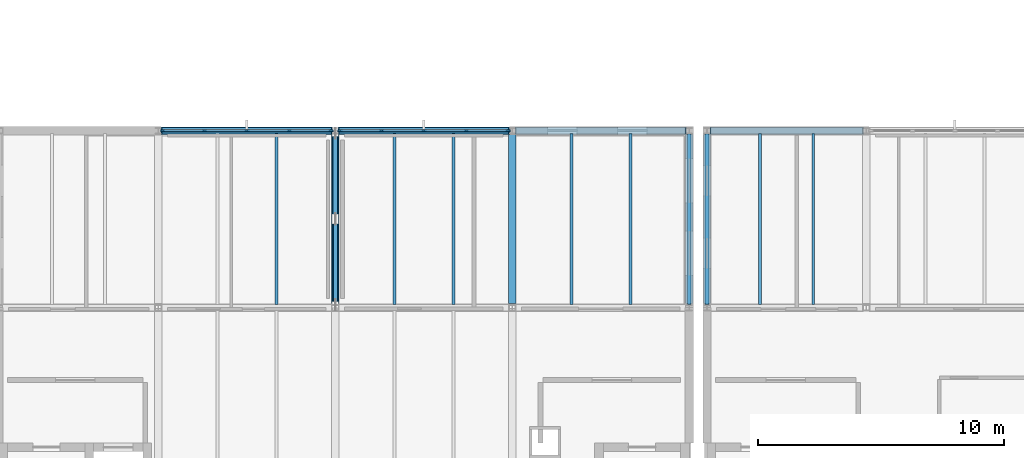
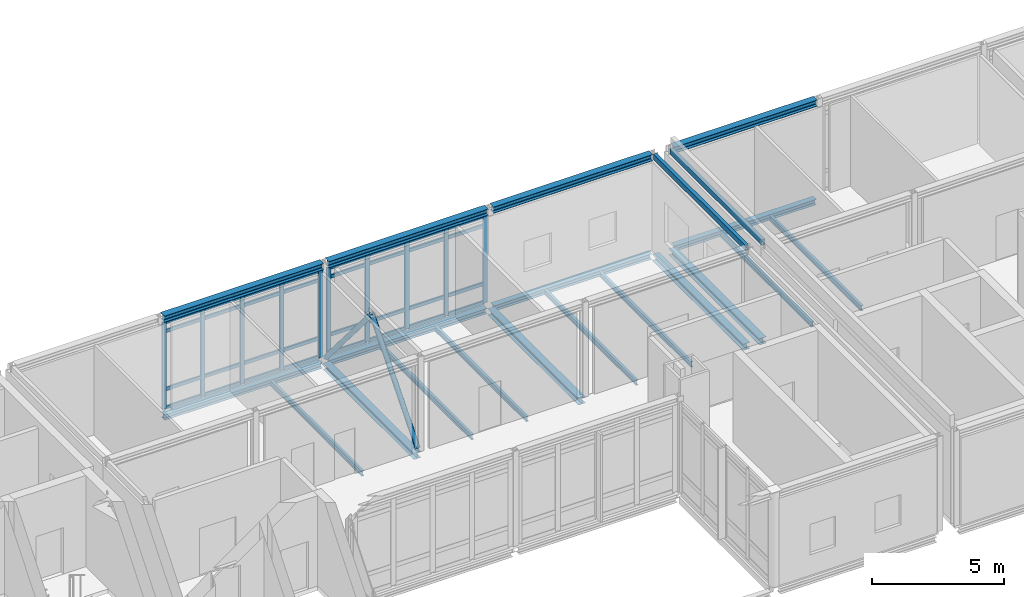
# One storey, part 11 of 43: 44 members, 21 beams, 2 elements without a shape of their own.
"""IFC4 building model written with IfcOpenShell, lengths in metres."""

from ifc_helpers import new_model, si_unit, direction, frame, origin, origin_2d, place, context, subcontext, project, spatial, rectangle, hollow_rectangle, hollow_circle, i_section, extrude, material, layer, layer_set, material_profile, profile_set, type_object, element, aggregate, save


model = new_model("IFC4")

# Units and contexts
model_context = context("Model", 3, precision=1e-05, world=origin(), true_north=direction((0.0, 1.0)))
body_context = subcontext(model_context, "Body", "Model", "MODEL_VIEW")
ifc_project = project(units=[si_unit("LENGTHUNIT", "METRE"), si_unit("AREAUNIT", "SQUARE_METRE"), si_unit("VOLUMEUNIT", "CUBIC_METRE"), si_unit("PLANEANGLEUNIT", "RADIAN"), si_unit("MASSUNIT", "GRAM", prefix="KILO")], contexts=[model_context])

# Site, building, storey
site_placement = place(None, origin())
site = spatial("IfcSite", under=ifc_project, at=site_placement, CompositionType="ELEMENT")
building_placement = place(site_placement, origin())
building = spatial("IfcBuilding", under=site, at=building_placement, Name="Zarrinpeak Specialist Clinic", CompositionType="ELEMENT")
storey_placement = place(building_placement, frame((0.0, 0.0, 18.39990234375)))
storey = spatial("IfcBuildingStorey", under=building, at=storey_placement, Name="L04", CompositionType="ELEMENT", Elevation=18.39990234375)

# Beams
ifc_material_1 = material(Name="Steel S355", Category="steel")
ifc_material_profile_1 = material_profile(ifc_material_1, i_section(OverallWidth=0.260009765625, OverallDepth=0.25, WebThickness=0.007568359375, FlangeThickness=0.012451171875, FilletRadius=0.02392578125, at=origin_2d()), Name="HEA 260")
ifc_profile_set_1 = profile_set([ifc_material_profile_1], Name="Steel S355")
beam_type_1 = type_object("IfcBeamType", Name="BM-HEA260", PredefinedType="BEAM", material=ifc_profile_set_1)
for number, where, z_axis, x_axis, name in (
    (1, (36.14794921875, 21.60009765625, -0.324951171875), (1.0, 0.0, 0.0), (0.0, 1.0, 0.0), "L04 Primary Floor Girder BM-L04-X1840"),
    (2, (43.347900390625, 21.60009765625, -0.324951171875), (1.0, 0.0, 0.0), (0.0, 1.0, 0.0), "L04 Primary Floor Girder BM-L04-X1841"),
):
    element("IfcBeam", number, at=place(storey_placement, frame(where, z_axis=z_axis, x_axis=x_axis)), inside=storey, type_object=beam_type_1, Name=name, PredefinedType="BEAM", context=body_context, shape_type="SweptSolid", body=[
        extrude(i_section(OverallWidth=0.260009765625, OverallDepth=0.25, WebThickness=0.007568359375, FlangeThickness=0.012451171875, FilletRadius=0.02392578125, at=origin_2d()), origin(), (0.0, 0.0, 1.0), 6.904052734375),
    ])
beam_1_placement = place(storey_placement, frame((50.548095703125, 21.60009765625, -0.324951171875), z_axis=(1.0, 0.0, 0.0), x_axis=(0.0, 1.0, 0.0)))
element("IfcBeam", 3, at=beam_1_placement, inside=storey, type_object=beam_type_1, Name="L04 Primary Floor Girder BM-L04-X1842", PredefinedType="BEAM", context=body_context, shape_type="SweptSolid", body=[
    extrude(i_section(OverallWidth=0.260009765625, OverallDepth=0.25, WebThickness=0.007568359375, FlangeThickness=0.012451171875, FilletRadius=0.02392578125, at=origin_2d()), origin(), (0.0, 0.0, 1.0), 6.90380859375),
])
beam_2_placement = place(storey_placement, frame((58.468017578125, 21.60009765625, -0.324951171875), z_axis=(1.0, 0.0, 0.0), x_axis=(0.0, 1.0, 0.0)))
element("IfcBeam", 4, at=beam_2_placement, inside=storey, type_object=beam_type_1, Name="L04 Primary Floor Girder BM-L04-X1843", PredefinedType="BEAM", context=body_context, shape_type="SweptSolid", body=[
    extrude(i_section(OverallWidth=0.260009765625, OverallDepth=0.25, WebThickness=0.007568359375, FlangeThickness=0.012451171875, FilletRadius=0.02392578125, at=origin_2d()), origin(), (0.0, 0.0, 1.0), 6.18408203125),
])
ifc_material_profile_2 = material_profile(ifc_material_1, i_section(OverallWidth=0.300048828125, OverallDepth=0.2900390625, WebThickness=0.008544921875, FlangeThickness=0.013916015625, FilletRadius=0.027099609375, at=origin_2d()), Name="HEA 300")
ifc_profile_set_2 = profile_set([ifc_material_profile_2], Name="Steel S355")
beam_type_2 = type_object("IfcBeamType", Name="BM-HEA300", PredefinedType="BEAM", material=ifc_profile_set_2)
for number, where, z_axis, x_axis, name in (
    (5, (43.199951171875, 14.55810546875, -0.344970703125), (0.0, 1.0, 0.0), (-1.0, 0.0, 0.0), "L04 Primary Beam BM-L04-Y1917"),
    (6, (50.39990234375, 14.55810546875, -0.344970703125), (0.0, 1.0, 0.0), (-1.0, 0.0, 0.0), "L04 Primary Beam BM-L04-Y1924"),
    (7, (57.60009765625, 14.55810546875, -0.344970703125), (0.0, 1.0, 0.0), (-1.0, 0.0, 0.0), "L04 Primary Beam BM-L04-Y1929"),
    (8, (58.320068359375, 14.55810546875, -0.344970703125), (0.0, 1.0, 0.0), (-1.0, 0.0, 0.0), "L04 Primary Beam BM-L04-Y1934"),
):
    element("IfcBeam", number, at=place(storey_placement, frame(where, z_axis=z_axis, x_axis=x_axis)), inside=storey, type_object=beam_type_2, Name=name, PredefinedType="BEAM", context=body_context, shape_type="SweptSolid", body=[
        extrude(i_section(OverallWidth=0.300048828125, OverallDepth=0.2900390625, WebThickness=0.008544921875, FlangeThickness=0.013916015625, FilletRadius=0.027099609375, at=origin_2d()), origin(), (0.0, 0.0, 1.0), 6.8837890625),
    ])
beam_3_placement = place(storey_placement, frame((36.117919921875, 21.60009765625, 4.25), z_axis=(1.0, 0.0, 0.0), x_axis=(0.0, 1.0, 0.0)))
element("IfcBeam", 9, at=beam_3_placement, inside=storey, type_object=beam_type_2, Name="L04 Gable Eave Tie Girder V2 BM-RF-EAVE-2342", PredefinedType="BEAM", context=body_context, shape_type="SweptSolid", body=[
    extrude(i_section(OverallWidth=0.300048828125, OverallDepth=0.2900390625, WebThickness=0.008544921875, FlangeThickness=0.013916015625, FilletRadius=0.027099609375, at=origin_2d()), origin(), (0.0, 0.0, 1.0), 6.964111328125),
])
for number, where, z_axis, x_axis, name in (
    (10, (43.318115234375, 21.60009765625, 4.25), (1.0, 0.0, 0.0), (0.0, 1.0, 0.0), "L04 Gable Eave Tie Girder V2 BM-RF-EAVE-2343"),
    (11, (50.51806640625, 21.60009765625, 4.25), (1.0, 0.0, 0.0), (0.0, 1.0, 0.0), "L04 Gable Eave Tie Girder V2 BM-RF-EAVE-2344"),
):
    element("IfcBeam", number, at=place(storey_placement, frame(where, z_axis=z_axis, x_axis=x_axis)), inside=storey, type_object=beam_type_2, Name=name, PredefinedType="BEAM", context=body_context, shape_type="SweptSolid", body=[
        extrude(i_section(OverallWidth=0.300048828125, OverallDepth=0.2900390625, WebThickness=0.008544921875, FlangeThickness=0.013916015625, FilletRadius=0.027099609375, at=origin_2d()), origin(), (0.0, 0.0, 1.0), 6.9638671875),
    ])
beam_4_placement = place(storey_placement, frame((58.43798828125, 21.60009765625, 4.25), z_axis=(1.0, 0.0, 0.0), x_axis=(0.0, 1.0, 0.0)))
element("IfcBeam", 12, at=beam_4_placement, inside=storey, type_object=beam_type_2, Name="L04 Gable Eave Tie Girder V4 BM-RF-EAVE-2386", PredefinedType="BEAM", context=body_context, shape_type="SweptSolid", body=[
    extrude(i_section(OverallWidth=0.300048828125, OverallDepth=0.2900390625, WebThickness=0.008544921875, FlangeThickness=0.013916015625, FilletRadius=0.027099609375, at=origin_2d()), origin(), (0.0, 0.0, 1.0), 6.243896484375),
])
ifc_material_profile_3 = material_profile(ifc_material_1, i_section(OverallWidth=0.1201171875, OverallDepth=0.239990234375, WebThickness=0.006103515625, FlangeThickness=0.009765625, FilletRadius=0.014892578125, at=origin_2d()), Name="IPE 240")
ifc_profile_set_3 = profile_set([ifc_material_profile_3], Name="Steel S355")
beam_type_3 = type_object("IfcBeamType", Name="BM-JST240", PredefinedType="JOIST", material=ifc_profile_set_3)
for number, where, z_axis, x_axis, name in (
    (13, (40.800048828125, 14.528076171875, -0.31982421875), (0.0, 1.0, 0.0), (-1.0, 0.0, 0.0), "L04 Composite Floor Joist JST-L04-1994"),
    (14, (45.60009765625, 14.528076171875, -0.31982421875), (0.0, 1.0, 0.0), (-1.0, 0.0, 0.0), "L04 Composite Floor Joist JST-L04-1997"),
    (15, (48.0, 14.528076171875, -0.31982421875), (0.0, 1.0, 0.0), (-1.0, 0.0, 0.0), "L04 Composite Floor Joist JST-L04-1998"),
    (16, (52.800048828125, 14.528076171875, -0.31982421875), (0.0, 1.0, 0.0), (-1.0, 0.0, 0.0), "L04 Composite Floor Joist JST-L04-1999"),
    (17, (55.199951171875, 14.528076171875, -0.31982421875), (0.0, 1.0, 0.0), (-1.0, 0.0, 0.0), "L04 Composite Floor Joist JST-L04-2000"),
    (18, (60.47998046875, 14.528076171875, -0.31982421875), (0.0, 1.0, 0.0), (-1.0, 0.0, 0.0), "L04 Composite Floor Joist JST-L04-2001"),
    (19, (62.639892578125, 14.528076171875, -0.31982421875), (0.0, 1.0, 0.0), (-1.0, 0.0, 0.0), "L04 Composite Floor Joist JST-L04-2002"),
):
    element("IfcBeam", number, at=place(storey_placement, frame(where, z_axis=z_axis, x_axis=x_axis)), inside=storey, type_object=beam_type_3, Name=name, PredefinedType="JOIST", context=body_context, shape_type="SweptSolid", body=[
        extrude(i_section(OverallWidth=0.1201171875, OverallDepth=0.239990234375, WebThickness=0.006103515625, FlangeThickness=0.009765625, FilletRadius=0.014892578125, at=origin_2d()), origin(), (0.0, 0.0, 1.0), 6.94384765625),
    ])
ifc_material_profile_4 = material_profile(ifc_material_1, hollow_rectangle(XDim=0.14990234375, YDim=0.25, WallThickness=0.010009765625, at=origin_2d()), Name="RHS 250x150x10.0")
ifc_profile_set_4 = profile_set([ifc_material_profile_4], Name="Steel S355")
beam_type_4 = type_object("IfcBeamType", Name="BM-SP250", PredefinedType="SPANDREL", material=ifc_profile_set_4)
for number, where, z_axis, x_axis, name in (
    (20, (57.60009765625, 14.51806640625, 4.25), (0.0, 1.0, 0.0), (-1.0, 0.0, 0.0), "L04 Gable Eave Spandrel Beam V2 BM-RF-SP-2348"),
    (21, (58.320068359375, 14.51806640625, 4.25), (0.0, 1.0, 0.0), (-1.0, 0.0, 0.0), "L04 Gable Eave Spandrel Beam V4 BM-RF-SP-2391"),
):
    element("IfcBeam", number, at=place(storey_placement, frame(where, z_axis=z_axis, x_axis=x_axis)), inside=storey, type_object=beam_type_4, Name=name, PredefinedType="SPANDREL", context=body_context, shape_type="SweptSolid", body=[
        extrude(hollow_rectangle(XDim=0.14990234375, YDim=0.25, WallThickness=0.010009765625, at=origin_2d()), origin(), (0.0, 0.0, 1.0), 6.9638671875),
    ])

# Curtain wall, members
ifc_material_2 = material(Name="Anodised Aluminium Alloy 6063-T6", Category="aluminium")
ifc_layer = layer(ifc_material_2, 0.179931640625)
ifc_layer_set = layer_set([ifc_layer], Name="Anodised Aluminium Alloy 6063-T6")
curtain_wall_type = type_object("IfcCurtainWallType", Name="CW-COURT", PredefinedType="NOTDEFINED", material=ifc_layer_set)
curtain_wall_1_placement = place(storey_placement, origin())
curtain_wall_1 = element("IfcCurtainWall", 22, at=curtain_wall_1_placement, inside=storey, type_object=curtain_wall_type, Name="L04 V2 Unitised Curtain Wall CW-L04-V2-067", PredefinedType="NOTDEFINED")
ifc_material_profile_5 = material_profile(ifc_material_2, rectangle(XDim=0.074951171875, YDim=0.179931640625, at=origin_2d()), Name="ALU 75x180")
ifc_profile_set_5 = profile_set([ifc_material_profile_5], Name="Anodised Aluminium Alloy 6063-T6")
member_type_1 = type_object("IfcMemberType", Name="CWM-75", PredefinedType="MULLION", material=ifc_profile_set_5)
member_1_placement = place(storey_placement, frame((43.017578125, 21.60009765625, 0.0), z_axis=(0.0, 0.0, 1.0), x_axis=(0.0, -1.0, 0.0)))
member_1 = element("IfcMember", 23, at=member_1_placement, type_object=member_type_1, Name="CW-01 mullion 1", PredefinedType="MULLION", context=body_context, shape_type="SweptSolid", body=[
    extrude(rectangle(XDim=0.074951171875, YDim=0.179931640625, at=origin_2d()), origin(), (0.0, 0.0, 1.0), 4.03515625),
])
member_2_placement = place(storey_placement, frame((41.327392578125, 21.60009765625, 0.0), z_axis=(0.0, 0.0, 1.0), x_axis=(0.0, -1.0, 0.0)))
member_2 = element("IfcMember", 24, at=member_2_placement, type_object=member_type_1, Name="CW-01 mullion 2", PredefinedType="MULLION", context=body_context, shape_type="SweptSolid", body=[
    extrude(rectangle(XDim=0.074951171875, YDim=0.179931640625, at=origin_2d()), origin(), (0.0, 0.0, 1.0), 4.03515625),
])
member_3_placement = place(storey_placement, frame((39.60009765625, 21.60009765625, 0.0), z_axis=(0.0, 0.0, 1.0), x_axis=(0.0, -1.0, 0.0)))
member_3 = element("IfcMember", 25, at=member_3_placement, type_object=member_type_1, Name="CW-01 mullion 3", PredefinedType="MULLION", context=body_context, shape_type="SweptSolid", body=[
    extrude(rectangle(XDim=0.074951171875, YDim=0.179931640625, at=origin_2d()), origin(), (0.0, 0.0, 1.0), 4.03515625),
])
member_4_placement = place(storey_placement, frame((37.87255859375, 21.60009765625, 0.0), z_axis=(0.0, 0.0, 1.0), x_axis=(0.0, -1.0, 0.0)))
member_4 = element("IfcMember", 26, at=member_4_placement, type_object=member_type_1, Name="CW-01 mullion 4", PredefinedType="MULLION", context=body_context, shape_type="SweptSolid", body=[
    extrude(rectangle(XDim=0.074951171875, YDim=0.179931640625, at=origin_2d()), origin(), (0.0, 0.0, 1.0), 4.03515625),
])
member_5_placement = place(storey_placement, frame((36.1826171875, 21.60009765625, 0.0), z_axis=(0.0, 0.0, 1.0), x_axis=(0.0, -1.0, 0.0)))
member_5 = element("IfcMember", 27, at=member_5_placement, type_object=member_type_1, Name="CW-01 mullion 5", PredefinedType="MULLION", context=body_context, shape_type="SweptSolid", body=[
    extrude(rectangle(XDim=0.074951171875, YDim=0.179931640625, at=origin_2d()), origin(), (0.0, 0.0, 1.0), 4.03515625),
])

curtain_wall_2_placement = place(storey_placement, origin())
curtain_wall_2 = element("IfcCurtainWall", 28, at=curtain_wall_2_placement, inside=storey, type_object=curtain_wall_type, Name="L04 V2 Unitised Curtain Wall CW-L04-V2-068", PredefinedType="NOTDEFINED")
member_6_placement = place(storey_placement, frame((50.217529296875, 21.60009765625, 0.0), z_axis=(0.0, 0.0, 1.0), x_axis=(0.0, -1.0, 0.0)))
member_6 = element("IfcMember", 29, at=member_6_placement, type_object=member_type_1, Name="CW-01 mullion 1", PredefinedType="MULLION", context=body_context, shape_type="SweptSolid", body=[
    extrude(rectangle(XDim=0.074951171875, YDim=0.179931640625, at=origin_2d()), origin(), (0.0, 0.0, 1.0), 4.03515625),
])
member_7_placement = place(storey_placement, frame((48.527587890625, 21.60009765625, 0.0), z_axis=(0.0, 0.0, 1.0), x_axis=(0.0, -1.0, 0.0)))
member_7 = element("IfcMember", 30, at=member_7_placement, type_object=member_type_1, Name="CW-01 mullion 2", PredefinedType="MULLION", context=body_context, shape_type="SweptSolid", body=[
    extrude(rectangle(XDim=0.074951171875, YDim=0.179931640625, at=origin_2d()), origin(), (0.0, 0.0, 1.0), 4.03515625),
])
member_8_placement = place(storey_placement, frame((46.800048828125, 21.60009765625, 0.0), z_axis=(0.0, 0.0, 1.0), x_axis=(0.0, -1.0, 0.0)))
member_8 = element("IfcMember", 31, at=member_8_placement, type_object=member_type_1, Name="CW-01 mullion 3", PredefinedType="MULLION", context=body_context, shape_type="SweptSolid", body=[
    extrude(rectangle(XDim=0.074951171875, YDim=0.179931640625, at=origin_2d()), origin(), (0.0, 0.0, 1.0), 4.03515625),
])
member_9_placement = place(storey_placement, frame((45.072509765625, 21.60009765625, 0.0), z_axis=(0.0, 0.0, 1.0), x_axis=(0.0, -1.0, 0.0)))
member_9 = element("IfcMember", 32, at=member_9_placement, type_object=member_type_1, Name="CW-01 mullion 4", PredefinedType="MULLION", context=body_context, shape_type="SweptSolid", body=[
    extrude(rectangle(XDim=0.074951171875, YDim=0.179931640625, at=origin_2d()), origin(), (0.0, 0.0, 1.0), 4.03515625),
])
member_10_placement = place(storey_placement, frame((43.382568359375, 21.60009765625, 0.0), z_axis=(0.0, 0.0, 1.0), x_axis=(0.0, -1.0, 0.0)))
member_10 = element("IfcMember", 33, at=member_10_placement, type_object=member_type_1, Name="CW-01 mullion 5", PredefinedType="MULLION", context=body_context, shape_type="SweptSolid", body=[
    extrude(rectangle(XDim=0.074951171875, YDim=0.179931640625, at=origin_2d()), origin(), (0.0, 0.0, 1.0), 4.03515625),
])

# Member
ifc_material_profile_6 = material_profile(ifc_material_2, rectangle(XDim=0.074951171875, YDim=0.159912109375, at=origin_2d()), Name="ALU 75x160")
ifc_profile_set_6 = profile_set([ifc_material_profile_6], Name="Anodised Aluminium Alloy 6063-T6")
member_type_2 = type_object("IfcMemberType", Name="CWT-75", PredefinedType="USERDEFINED", material=ifc_profile_set_6)
member_11_placement = place(storey_placement, frame((42.97998046875, 21.60009765625, 0.03759765625), z_axis=(-1.0, 0.0, 0.0), x_axis=(0.0, -1.0, 0.0)))
member_11 = element("IfcMember", 34, at=member_11_placement, type_object=member_type_2, Name="CW-01 transom 1.1", ObjectType="TRANSOM", PredefinedType="USERDEFINED", context=body_context, shape_type="SweptSolid", body=[
    extrude(rectangle(XDim=0.074951171875, YDim=0.159912109375, at=origin_2d()), origin(), (0.0, 0.0, 1.0), 1.614990234375),
])

member_12_placement = place(storey_placement, frame((42.97998046875, 21.60009765625, 0.900146484375), z_axis=(-1.0, 0.0, 0.0), x_axis=(0.0, -1.0, 0.0)))
member_12 = element("IfcMember", 35, at=member_12_placement, type_object=member_type_2, Name="CW-01 transom 1.2", ObjectType="TRANSOM", PredefinedType="USERDEFINED", context=body_context, shape_type="SweptSolid", body=[
    extrude(rectangle(XDim=0.074951171875, YDim=0.159912109375, at=origin_2d()), origin(), (0.0, 0.0, 1.0), 1.614990234375),
])

member_13_placement = place(storey_placement, frame((42.97998046875, 21.60009765625, 3.585205078125), z_axis=(-1.0, 0.0, 0.0), x_axis=(0.0, -1.0, 0.0)))
member_13 = element("IfcMember", 36, at=member_13_placement, type_object=member_type_2, Name="CW-01 transom 1.3", ObjectType="TRANSOM", PredefinedType="USERDEFINED", context=body_context, shape_type="SweptSolid", body=[
    extrude(rectangle(XDim=0.074951171875, YDim=0.159912109375, at=origin_2d()), origin(), (0.0, 0.0, 1.0), 1.614990234375),
])

member_14_placement = place(storey_placement, frame((42.97998046875, 21.60009765625, 3.99755859375), z_axis=(-1.0, 0.0, 0.0), x_axis=(0.0, -1.0, 0.0)))
member_14 = element("IfcMember", 37, at=member_14_placement, type_object=member_type_2, Name="CW-01 transom 1.4", ObjectType="TRANSOM", PredefinedType="USERDEFINED", context=body_context, shape_type="SweptSolid", body=[
    extrude(rectangle(XDim=0.074951171875, YDim=0.159912109375, at=origin_2d()), origin(), (0.0, 0.0, 1.0), 1.614990234375),
])

member_15_placement = place(storey_placement, frame((41.2900390625, 21.60009765625, 0.03759765625), z_axis=(-1.0, 0.0, 0.0), x_axis=(0.0, -1.0, 0.0)))
member_15 = element("IfcMember", 38, at=member_15_placement, type_object=member_type_2, Name="CW-01 transom 2.1", ObjectType="TRANSOM", PredefinedType="USERDEFINED", context=body_context, shape_type="SweptSolid", body=[
    extrude(rectangle(XDim=0.074951171875, YDim=0.159912109375, at=origin_2d()), origin(), (0.0, 0.0, 1.0), 1.652587890625),
])

member_16_placement = place(storey_placement, frame((41.2900390625, 21.60009765625, 0.900146484375), z_axis=(-1.0, 0.0, 0.0), x_axis=(0.0, -1.0, 0.0)))
member_16 = element("IfcMember", 39, at=member_16_placement, type_object=member_type_2, Name="CW-01 transom 2.2", ObjectType="TRANSOM", PredefinedType="USERDEFINED", context=body_context, shape_type="SweptSolid", body=[
    extrude(rectangle(XDim=0.074951171875, YDim=0.159912109375, at=origin_2d()), origin(), (0.0, 0.0, 1.0), 1.652587890625),
])

member_17_placement = place(storey_placement, frame((41.2900390625, 21.60009765625, 3.585205078125), z_axis=(-1.0, 0.0, 0.0), x_axis=(0.0, -1.0, 0.0)))
member_17 = element("IfcMember", 40, at=member_17_placement, type_object=member_type_2, Name="CW-01 transom 2.3", ObjectType="TRANSOM", PredefinedType="USERDEFINED", context=body_context, shape_type="SweptSolid", body=[
    extrude(rectangle(XDim=0.074951171875, YDim=0.159912109375, at=origin_2d()), origin(), (0.0, 0.0, 1.0), 1.652587890625),
])

member_18_placement = place(storey_placement, frame((41.2900390625, 21.60009765625, 3.99755859375), z_axis=(-1.0, 0.0, 0.0), x_axis=(0.0, -1.0, 0.0)))
member_18 = element("IfcMember", 41, at=member_18_placement, type_object=member_type_2, Name="CW-01 transom 2.4", ObjectType="TRANSOM", PredefinedType="USERDEFINED", context=body_context, shape_type="SweptSolid", body=[
    extrude(rectangle(XDim=0.074951171875, YDim=0.159912109375, at=origin_2d()), origin(), (0.0, 0.0, 1.0), 1.652587890625),
])

member_19_placement = place(storey_placement, frame((39.5625, 21.60009765625, 0.03759765625), z_axis=(-1.0, 0.0, 0.0), x_axis=(0.0, -1.0, 0.0)))
member_19 = element("IfcMember", 42, at=member_19_placement, type_object=member_type_2, Name="CW-01 transom 3.1", ObjectType="TRANSOM", PredefinedType="USERDEFINED", context=body_context, shape_type="SweptSolid", body=[
    extrude(rectangle(XDim=0.074951171875, YDim=0.159912109375, at=origin_2d()), origin(), (0.0, 0.0, 1.0), 1.652587890625),
])

member_20_placement = place(storey_placement, frame((39.5625, 21.60009765625, 0.900146484375), z_axis=(-1.0, 0.0, 0.0), x_axis=(0.0, -1.0, 0.0)))
member_20 = element("IfcMember", 43, at=member_20_placement, type_object=member_type_2, Name="CW-01 transom 3.2", ObjectType="TRANSOM", PredefinedType="USERDEFINED", context=body_context, shape_type="SweptSolid", body=[
    extrude(rectangle(XDim=0.074951171875, YDim=0.159912109375, at=origin_2d()), origin(), (0.0, 0.0, 1.0), 1.652587890625),
])

member_21_placement = place(storey_placement, frame((39.5625, 21.60009765625, 3.585205078125), z_axis=(-1.0, 0.0, 0.0), x_axis=(0.0, -1.0, 0.0)))
member_21 = element("IfcMember", 44, at=member_21_placement, type_object=member_type_2, Name="CW-01 transom 3.3", ObjectType="TRANSOM", PredefinedType="USERDEFINED", context=body_context, shape_type="SweptSolid", body=[
    extrude(rectangle(XDim=0.074951171875, YDim=0.159912109375, at=origin_2d()), origin(), (0.0, 0.0, 1.0), 1.652587890625),
])

member_22_placement = place(storey_placement, frame((39.5625, 21.60009765625, 3.99755859375), z_axis=(-1.0, 0.0, 0.0), x_axis=(0.0, -1.0, 0.0)))
member_22 = element("IfcMember", 45, at=member_22_placement, type_object=member_type_2, Name="CW-01 transom 3.4", ObjectType="TRANSOM", PredefinedType="USERDEFINED", context=body_context, shape_type="SweptSolid", body=[
    extrude(rectangle(XDim=0.074951171875, YDim=0.159912109375, at=origin_2d()), origin(), (0.0, 0.0, 1.0), 1.652587890625),
])

member_23_placement = place(storey_placement, frame((37.8349609375, 21.60009765625, 0.03759765625), z_axis=(-1.0, 0.0, 0.0), x_axis=(0.0, -1.0, 0.0)))
member_23 = element("IfcMember", 46, at=member_23_placement, type_object=member_type_2, Name="CW-01 transom 4.1", ObjectType="TRANSOM", PredefinedType="USERDEFINED", context=body_context, shape_type="SweptSolid", body=[
    extrude(rectangle(XDim=0.074951171875, YDim=0.159912109375, at=origin_2d()), origin(), (0.0, 0.0, 1.0), 1.614990234375),
])

member_24_placement = place(storey_placement, frame((37.8349609375, 21.60009765625, 0.900146484375), z_axis=(-1.0, 0.0, 0.0), x_axis=(0.0, -1.0, 0.0)))
member_24 = element("IfcMember", 47, at=member_24_placement, type_object=member_type_2, Name="CW-01 transom 4.2", ObjectType="TRANSOM", PredefinedType="USERDEFINED", context=body_context, shape_type="SweptSolid", body=[
    extrude(rectangle(XDim=0.074951171875, YDim=0.159912109375, at=origin_2d()), origin(), (0.0, 0.0, 1.0), 1.614990234375),
])

member_25_placement = place(storey_placement, frame((37.8349609375, 21.60009765625, 3.585205078125), z_axis=(-1.0, 0.0, 0.0), x_axis=(0.0, -1.0, 0.0)))
member_25 = element("IfcMember", 48, at=member_25_placement, type_object=member_type_2, Name="CW-01 transom 4.3", ObjectType="TRANSOM", PredefinedType="USERDEFINED", context=body_context, shape_type="SweptSolid", body=[
    extrude(rectangle(XDim=0.074951171875, YDim=0.159912109375, at=origin_2d()), origin(), (0.0, 0.0, 1.0), 1.614990234375),
])

member_26_placement = place(storey_placement, frame((37.8349609375, 21.60009765625, 3.99755859375), z_axis=(-1.0, 0.0, 0.0), x_axis=(0.0, -1.0, 0.0)))
member_26 = element("IfcMember", 49, at=member_26_placement, type_object=member_type_2, Name="CW-01 transom 4.4", ObjectType="TRANSOM", PredefinedType="USERDEFINED", context=body_context, shape_type="SweptSolid", body=[
    extrude(rectangle(XDim=0.074951171875, YDim=0.159912109375, at=origin_2d()), origin(), (0.0, 0.0, 1.0), 1.614990234375),
])

aggregate(curtain_wall_1, [member_1, member_2, member_3, member_4, member_5, member_11, member_12, member_13, member_14, member_15, member_16, member_17, member_18, member_19, member_20, member_21, member_22, member_23, member_24, member_25, member_26])

member_27_placement = place(storey_placement, frame((50.179931640625, 21.60009765625, 0.03759765625), z_axis=(-1.0, 0.0, 0.0), x_axis=(0.0, -1.0, 0.0)))
member_27 = element("IfcMember", 50, at=member_27_placement, type_object=member_type_2, Name="CW-01 transom 1.1", ObjectType="TRANSOM", PredefinedType="USERDEFINED", context=body_context, shape_type="SweptSolid", body=[
    extrude(rectangle(XDim=0.074951171875, YDim=0.159912109375, at=origin_2d()), origin(), (0.0, 0.0, 1.0), 1.614990234375),
])

member_28_placement = place(storey_placement, frame((50.179931640625, 21.60009765625, 0.900146484375), z_axis=(-1.0, 0.0, 0.0), x_axis=(0.0, -1.0, 0.0)))
member_28 = element("IfcMember", 51, at=member_28_placement, type_object=member_type_2, Name="CW-01 transom 1.2", ObjectType="TRANSOM", PredefinedType="USERDEFINED", context=body_context, shape_type="SweptSolid", body=[
    extrude(rectangle(XDim=0.074951171875, YDim=0.159912109375, at=origin_2d()), origin(), (0.0, 0.0, 1.0), 1.614990234375),
])

member_29_placement = place(storey_placement, frame((50.179931640625, 21.60009765625, 3.585205078125), z_axis=(-1.0, 0.0, 0.0), x_axis=(0.0, -1.0, 0.0)))
member_29 = element("IfcMember", 52, at=member_29_placement, type_object=member_type_2, Name="CW-01 transom 1.3", ObjectType="TRANSOM", PredefinedType="USERDEFINED", context=body_context, shape_type="SweptSolid", body=[
    extrude(rectangle(XDim=0.074951171875, YDim=0.159912109375, at=origin_2d()), origin(), (0.0, 0.0, 1.0), 1.614990234375),
])

member_30_placement = place(storey_placement, frame((50.179931640625, 21.60009765625, 3.99755859375), z_axis=(-1.0, 0.0, 0.0), x_axis=(0.0, -1.0, 0.0)))
member_30 = element("IfcMember", 53, at=member_30_placement, type_object=member_type_2, Name="CW-01 transom 1.4", ObjectType="TRANSOM", PredefinedType="USERDEFINED", context=body_context, shape_type="SweptSolid", body=[
    extrude(rectangle(XDim=0.074951171875, YDim=0.159912109375, at=origin_2d()), origin(), (0.0, 0.0, 1.0), 1.614990234375),
])

member_31_placement = place(storey_placement, frame((48.489990234375, 21.60009765625, 0.03759765625), z_axis=(-1.0, 0.0, 0.0), x_axis=(0.0, -1.0, 0.0)))
member_31 = element("IfcMember", 54, at=member_31_placement, type_object=member_type_2, Name="CW-01 transom 2.1", ObjectType="TRANSOM", PredefinedType="USERDEFINED", context=body_context, shape_type="SweptSolid", body=[
    extrude(rectangle(XDim=0.074951171875, YDim=0.159912109375, at=origin_2d()), origin(), (0.0, 0.0, 1.0), 1.652587890625),
])

member_32_placement = place(storey_placement, frame((48.489990234375, 21.60009765625, 0.900146484375), z_axis=(-1.0, 0.0, 0.0), x_axis=(0.0, -1.0, 0.0)))
member_32 = element("IfcMember", 55, at=member_32_placement, type_object=member_type_2, Name="CW-01 transom 2.2", ObjectType="TRANSOM", PredefinedType="USERDEFINED", context=body_context, shape_type="SweptSolid", body=[
    extrude(rectangle(XDim=0.074951171875, YDim=0.159912109375, at=origin_2d()), origin(), (0.0, 0.0, 1.0), 1.652587890625),
])

member_33_placement = place(storey_placement, frame((48.489990234375, 21.60009765625, 3.585205078125), z_axis=(-1.0, 0.0, 0.0), x_axis=(0.0, -1.0, 0.0)))
member_33 = element("IfcMember", 56, at=member_33_placement, type_object=member_type_2, Name="CW-01 transom 2.3", ObjectType="TRANSOM", PredefinedType="USERDEFINED", context=body_context, shape_type="SweptSolid", body=[
    extrude(rectangle(XDim=0.074951171875, YDim=0.159912109375, at=origin_2d()), origin(), (0.0, 0.0, 1.0), 1.652587890625),
])

member_34_placement = place(storey_placement, frame((48.489990234375, 21.60009765625, 3.99755859375), z_axis=(-1.0, 0.0, 0.0), x_axis=(0.0, -1.0, 0.0)))
member_34 = element("IfcMember", 57, at=member_34_placement, type_object=member_type_2, Name="CW-01 transom 2.4", ObjectType="TRANSOM", PredefinedType="USERDEFINED", context=body_context, shape_type="SweptSolid", body=[
    extrude(rectangle(XDim=0.074951171875, YDim=0.159912109375, at=origin_2d()), origin(), (0.0, 0.0, 1.0), 1.652587890625),
])

member_35_placement = place(storey_placement, frame((46.762451171875, 21.60009765625, 0.03759765625), z_axis=(-1.0, 0.0, 0.0), x_axis=(0.0, -1.0, 0.0)))
member_35 = element("IfcMember", 58, at=member_35_placement, type_object=member_type_2, Name="CW-01 transom 3.1", ObjectType="TRANSOM", PredefinedType="USERDEFINED", context=body_context, shape_type="SweptSolid", body=[
    extrude(rectangle(XDim=0.074951171875, YDim=0.159912109375, at=origin_2d()), origin(), (0.0, 0.0, 1.0), 1.65234375),
])

member_36_placement = place(storey_placement, frame((46.762451171875, 21.60009765625, 0.900146484375), z_axis=(-1.0, 0.0, 0.0), x_axis=(0.0, -1.0, 0.0)))
member_36 = element("IfcMember", 59, at=member_36_placement, type_object=member_type_2, Name="CW-01 transom 3.2", ObjectType="TRANSOM", PredefinedType="USERDEFINED", context=body_context, shape_type="SweptSolid", body=[
    extrude(rectangle(XDim=0.074951171875, YDim=0.159912109375, at=origin_2d()), origin(), (0.0, 0.0, 1.0), 1.65234375),
])

member_37_placement = place(storey_placement, frame((46.762451171875, 21.60009765625, 3.585205078125), z_axis=(-1.0, 0.0, 0.0), x_axis=(0.0, -1.0, 0.0)))
member_37 = element("IfcMember", 60, at=member_37_placement, type_object=member_type_2, Name="CW-01 transom 3.3", ObjectType="TRANSOM", PredefinedType="USERDEFINED", context=body_context, shape_type="SweptSolid", body=[
    extrude(rectangle(XDim=0.074951171875, YDim=0.159912109375, at=origin_2d()), origin(), (0.0, 0.0, 1.0), 1.65234375),
])

member_38_placement = place(storey_placement, frame((46.762451171875, 21.60009765625, 3.99755859375), z_axis=(-1.0, 0.0, 0.0), x_axis=(0.0, -1.0, 0.0)))
member_38 = element("IfcMember", 61, at=member_38_placement, type_object=member_type_2, Name="CW-01 transom 3.4", ObjectType="TRANSOM", PredefinedType="USERDEFINED", context=body_context, shape_type="SweptSolid", body=[
    extrude(rectangle(XDim=0.074951171875, YDim=0.159912109375, at=origin_2d()), origin(), (0.0, 0.0, 1.0), 1.65234375),
])

member_39_placement = place(storey_placement, frame((45.034912109375, 21.60009765625, 0.03759765625), z_axis=(-1.0, 0.0, 0.0), x_axis=(0.0, -1.0, 0.0)))
member_39 = element("IfcMember", 62, at=member_39_placement, type_object=member_type_2, Name="CW-01 transom 4.1", ObjectType="TRANSOM", PredefinedType="USERDEFINED", context=body_context, shape_type="SweptSolid", body=[
    extrude(rectangle(XDim=0.074951171875, YDim=0.159912109375, at=origin_2d()), origin(), (0.0, 0.0, 1.0), 1.614990234375),
])

member_40_placement = place(storey_placement, frame((45.034912109375, 21.60009765625, 0.900146484375), z_axis=(-1.0, 0.0, 0.0), x_axis=(0.0, -1.0, 0.0)))
member_40 = element("IfcMember", 63, at=member_40_placement, type_object=member_type_2, Name="CW-01 transom 4.2", ObjectType="TRANSOM", PredefinedType="USERDEFINED", context=body_context, shape_type="SweptSolid", body=[
    extrude(rectangle(XDim=0.074951171875, YDim=0.159912109375, at=origin_2d()), origin(), (0.0, 0.0, 1.0), 1.614990234375),
])

member_41_placement = place(storey_placement, frame((45.034912109375, 21.60009765625, 3.585205078125), z_axis=(-1.0, 0.0, 0.0), x_axis=(0.0, -1.0, 0.0)))
member_41 = element("IfcMember", 64, at=member_41_placement, type_object=member_type_2, Name="CW-01 transom 4.3", ObjectType="TRANSOM", PredefinedType="USERDEFINED", context=body_context, shape_type="SweptSolid", body=[
    extrude(rectangle(XDim=0.074951171875, YDim=0.159912109375, at=origin_2d()), origin(), (0.0, 0.0, 1.0), 1.614990234375),
])

member_42_placement = place(storey_placement, frame((45.034912109375, 21.60009765625, 3.99755859375), z_axis=(-1.0, 0.0, 0.0), x_axis=(0.0, -1.0, 0.0)))
member_42 = element("IfcMember", 65, at=member_42_placement, type_object=member_type_2, Name="CW-01 transom 4.4", ObjectType="TRANSOM", PredefinedType="USERDEFINED", context=body_context, shape_type="SweptSolid", body=[
    extrude(rectangle(XDim=0.074951171875, YDim=0.159912109375, at=origin_2d()), origin(), (0.0, 0.0, 1.0), 1.614990234375),
])

aggregate(curtain_wall_2, [member_6, member_7, member_8, member_9, member_10, member_27, member_28, member_29, member_30, member_31, member_32, member_33, member_34, member_35, member_36, member_37, member_38, member_39, member_40, member_41, member_42])

# Members
ifc_material_profile_7 = material_profile(ifc_material_1, hollow_circle(Radius=0.109619140625, WallThickness=0.010009765625, at=origin_2d()), Name="CHS 219.1x10.0")
ifc_profile_set_7 = profile_set([ifc_material_profile_7], Name="Steel S355")
member_type_3 = type_object("IfcMemberType", Name="MB-BR219", PredefinedType="BRACE", material=ifc_profile_set_7)
for number, where, z_axis, x_axis, name in (
    (66, (43.199951171875, 14.52001953125, 0.005126953125), (0.0, 0.647119815317, 0.762388316165), (-1.0, 0.0, 0.0), "V2 L04 Seismic Concentric Brace CBF-023"),
    (67, (43.199951171875, 21.47998046875, 0.005126953125), (0.0, -0.647119815317, 0.762388316165), (1.0, 0.0, 0.0), "V2 L04 Seismic Concentric Brace CBF-024"),
):
    element("IfcMember", number, at=place(storey_placement, frame(where, z_axis=z_axis, x_axis=x_axis)), inside=storey, type_object=member_type_3, Name=name, PredefinedType="BRACE", context=body_context, shape_type="SweptSolid", body=[
        extrude(hollow_circle(Radius=0.109619140625, WallThickness=0.010009765625, at=origin_2d()), origin(), (0.0, 0.0, 1.0), 5.377685546875),
    ])

save(model, "model.ifc")
